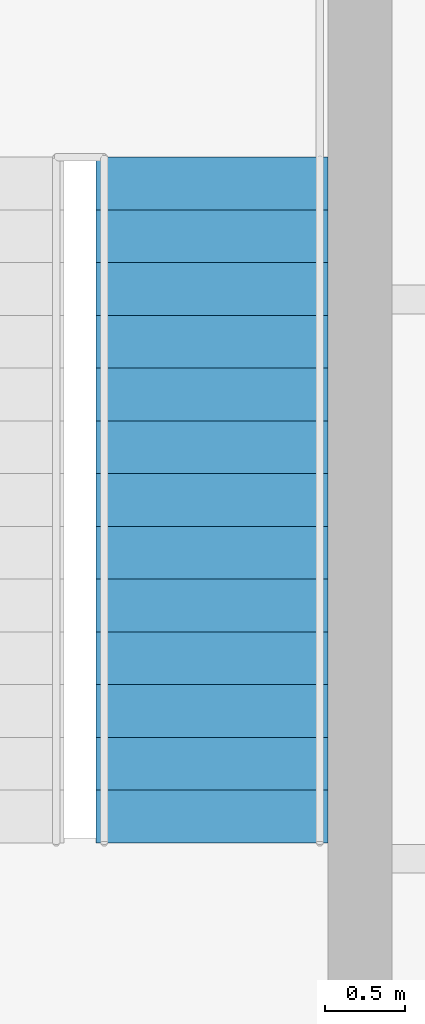
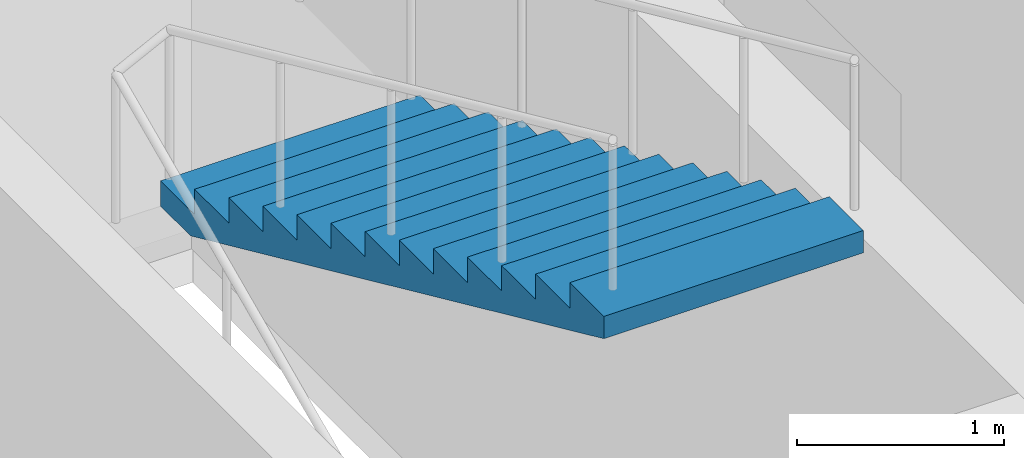
# One storey, part 9 of 10: 1 stair flight, 1 element without a shape of its own.
"""IFC4 building model written with IfcOpenShell, lengths in metres."""

from ifc_helpers import new_model, si_unit, direction, frame, origin, place, context, subcontext, project, spatial, polygons, material, type_object, element, aggregate, save


model = new_model("IFC4")

# Units and contexts
model_context = context("Model", 3, precision=1e-05, world=origin(), true_north=direction((0.0, 1.0)))
body_context = subcontext(model_context, "Body", "Model", "MODEL_VIEW")
ifc_project = project(units=[si_unit("LENGTHUNIT", "METRE"), si_unit("AREAUNIT", "SQUARE_METRE"), si_unit("VOLUMEUNIT", "CUBIC_METRE"), si_unit("PLANEANGLEUNIT", "RADIAN"), si_unit("MASSUNIT", "GRAM", prefix="KILO")], contexts=[model_context])

# Site, building, storey
site_placement = place(None, origin())
site = spatial("IfcSite", under=ifc_project, at=site_placement, CompositionType="ELEMENT")
building_placement = place(site_placement, origin())
building = spatial("IfcBuilding", under=site, at=building_placement, Name="Njiva Tower", CompositionType="ELEMENT")
storey_placement = place(building_placement, frame((0.0, 0.0, 304.2)))
storey = spatial("IfcBuildingStorey", under=building, at=storey_placement, Name="L69", CompositionType="ELEMENT", Elevation=304.2)

# Stair, stair flight
ifc_material = material(Name="Concrete C40/50", Category="concrete")
stair_type = type_object("IfcStairType", Name="ST3 Exit stair 1450", PredefinedType="HALF_TURN_STAIR", material=ifc_material)
stair_placement = place(storey_placement, origin())
stair = element("IfcStair", 1, at=stair_placement, inside=storey, type_object=stair_type, Name="Stair B", PredefinedType="HALF_TURN_STAIR")
stair_flight_type = type_object("IfcStairFlightType", Name="FL3 Stair flight 1450", PredefinedType="STRAIGHT", material=ifc_material)
stair_flight_placement = place(storey_placement, frame((13.375, 15.39, 2.1), z_axis=(0.0, 0.0, 1.0), x_axis=(0.0, -1.0, 0.0)))
stair_flight = element("IfcStairFlight", 2, at=stair_flight_placement, type_object=stair_flight_type, Name="ST-B flight 2", NumberOfRisers=14, NumberOfTreads=13, PredefinedType="STRAIGHT", RiserHeight=0.15, TreadLength=0.33, context=body_context, shape_type="Tessellation", body=[
    polygons([(0.0, 0.725, 0.0), (0.0, 0.3625, 0.0), (0.0, 0.0, 0.0), (0.0, -0.3625, 0.0), (0.0, -0.725, 0.0), (0.0, 0.725, 0.15), (0.0, 0.3625, 0.15), (0.0, 0.0, 0.15), (0.0, -0.3625, 0.15), (0.0, -0.725, 0.15), (0.33, 0.725, 0.15), (0.33, 0.3625, 0.15), (0.33, 0.0, 0.15), (0.33, -0.3625, 0.15), (0.33, -0.725, 0.15), (0.33, 0.725, 0.3), (0.33, 0.3625, 0.3), (0.33, 0.0, 0.3), (0.33, -0.3625, 0.3), (0.33, -0.725, 0.3), (0.66, 0.725, 0.3), (0.66, 0.3625, 0.3), (0.66, 0.0, 0.3), (0.66, -0.3625, 0.3), (0.66, -0.725, 0.3), (0.66, 0.725, 0.45), (0.66, 0.3625, 0.45), (0.66, 0.0, 0.45), (0.66, -0.3625, 0.45), (0.66, -0.725, 0.45), (0.99, 0.725, 0.45), (0.99, 0.3625, 0.45), (0.99, 0.0, 0.45), (0.99, -0.3625, 0.45), (0.99, -0.725, 0.45), (0.99, 0.725, 0.6), (0.99, 0.3625, 0.6), (0.99, 0.0, 0.6), (0.99, -0.3625, 0.6), (0.99, -0.725, 0.6), (1.32, 0.725, 0.6), (1.32, 0.3625, 0.6), (1.32, 0.0, 0.6), (1.32, -0.3625, 0.6), (1.32, -0.725, 0.6), (1.32, 0.725, 0.75), (1.32, 0.3625, 0.75), (1.32, 0.0, 0.75), (1.32, -0.3625, 0.75), (1.32, -0.725, 0.75), (1.65, 0.725, 0.75), (1.65, 0.3625, 0.75), (1.65, 0.0, 0.75), (1.65, -0.3625, 0.75), (1.65, -0.725, 0.75), (1.65, 0.725, 0.9), (1.65, 0.3625, 0.9), (1.65, 0.0, 0.9), (1.65, -0.3625, 0.9), (1.65, -0.725, 0.9), (1.98, 0.725, 0.9), (1.98, 0.3625, 0.9), (1.98, 0.0, 0.9), (1.98, -0.3625, 0.9), (1.98, -0.725, 0.9), (1.98, 0.725, 1.05), (1.98, 0.3625, 1.05), (1.98, 0.0, 1.05), (1.98, -0.3625, 1.05), (1.98, -0.725, 1.05), (2.31, 0.725, 1.05), (2.31, 0.3625, 1.05), (2.31, 0.0, 1.05), (2.31, -0.3625, 1.05), (2.31, -0.725, 1.05), (2.31, 0.725, 1.2), (2.31, 0.3625, 1.2), (2.31, 0.0, 1.2), (2.31, -0.3625, 1.2), (2.31, -0.725, 1.2), (2.64, 0.725, 1.2), (2.64, 0.3625, 1.2), (2.64, 0.0, 1.2), (2.64, -0.3625, 1.2), (2.64, -0.725, 1.2), (2.64, 0.725, 1.35), (2.64, 0.3625, 1.35), (2.64, 0.0, 1.35), (2.64, -0.3625, 1.35), (2.64, -0.725, 1.35), (2.97, 0.725, 1.35), (2.97, 0.3625, 1.35), (2.97, 0.0, 1.35), (2.97, -0.3625, 1.35), (2.97, -0.725, 1.35), (2.97, 0.725, 1.5), (2.97, 0.3625, 1.5), (2.97, 0.0, 1.5), (2.97, -0.3625, 1.5), (2.97, -0.725, 1.5), (3.3, 0.725, 1.5), (3.3, 0.3625, 1.5), (3.3, 0.0, 1.5), (3.3, -0.3625, 1.5), (3.3, -0.725, 1.5), (3.3, 0.725, 1.65), (3.3, 0.3625, 1.65), (3.3, 0.0, 1.65), (3.3, -0.3625, 1.65), (3.3, -0.725, 1.65), (3.63, 0.725, 1.65), (3.63, 0.3625, 1.65), (3.63, 0.0, 1.65), (3.63, -0.3625, 1.65), (3.63, -0.725, 1.65), (3.63, 0.725, 1.8), (3.63, 0.3625, 1.8), (3.63, 0.0, 1.8), (3.63, -0.3625, 1.8), (3.63, -0.725, 1.8), (3.96, 0.725, 1.8), (3.96, 0.3625, 1.8), (3.96, 0.0, 1.8), (3.96, -0.3625, 1.8), (3.96, -0.725, 1.8), (3.96, 0.725, 1.95), (3.96, 0.3625, 1.95), (3.96, 0.0, 1.95), (3.96, -0.3625, 1.95), (3.96, -0.725, 1.95), (4.29, 0.725, 1.95), (4.29, 0.3625, 1.95), (4.29, 0.0, 1.95), (4.29, -0.3625, 1.95), (4.29, -0.725, 1.95), (4.29, 0.725, 1.8182), (4.29, 0.3625, 1.8182), (4.29, 0.0, 1.8182), (4.29, -0.3625, 1.8182), (4.29, -0.725, 1.8182), (0.29, 0.725, 0.0), (0.29, 0.3625, 0.0), (0.29, 0.0, 0.0), (0.29, -0.3625, 0.0), (0.29, -0.725, 0.0)], [[[1, 6, 11, 16, 21, 26, 31, 36, 41, 46, 51, 56, 61, 66, 71, 76, 81, 86, 91, 96, 101, 106, 111, 116, 121, 126, 131, 136, 141]], [[145, 140, 135, 130, 125, 120, 115, 110, 105, 100, 95, 90, 85, 80, 75, 70, 65, 60, 55, 50, 45, 40, 35, 30, 25, 20, 15, 10, 5]], [[6, 1, 2, 7]], [[7, 2, 3, 8]], [[8, 3, 4, 9]], [[9, 4, 5, 10]], [[11, 6, 7, 12]], [[12, 7, 8, 13]], [[13, 8, 9, 14]], [[14, 9, 10, 15]], [[16, 11, 12, 17]], [[17, 12, 13, 18]], [[18, 13, 14, 19]], [[19, 14, 15, 20]], [[21, 16, 17, 22]], [[22, 17, 18, 23]], [[23, 18, 19, 24]], [[24, 19, 20, 25]], [[26, 21, 22, 27]], [[27, 22, 23, 28]], [[28, 23, 24, 29]], [[29, 24, 25, 30]], [[31, 26, 27, 32]], [[32, 27, 28, 33]], [[33, 28, 29, 34]], [[34, 29, 30, 35]], [[36, 31, 32, 37]], [[37, 32, 33, 38]], [[38, 33, 34, 39]], [[39, 34, 35, 40]], [[41, 36, 37, 42]], [[42, 37, 38, 43]], [[43, 38, 39, 44]], [[44, 39, 40, 45]], [[46, 41, 42, 47]], [[47, 42, 43, 48]], [[48, 43, 44, 49]], [[49, 44, 45, 50]], [[51, 46, 47, 52]], [[52, 47, 48, 53]], [[53, 48, 49, 54]], [[54, 49, 50, 55]], [[56, 51, 52, 57]], [[57, 52, 53, 58]], [[58, 53, 54, 59]], [[59, 54, 55, 60]], [[61, 56, 57, 62]], [[62, 57, 58, 63]], [[63, 58, 59, 64]], [[64, 59, 60, 65]], [[66, 61, 62, 67]], [[67, 62, 63, 68]], [[68, 63, 64, 69]], [[69, 64, 65, 70]], [[71, 66, 67, 72]], [[72, 67, 68, 73]], [[73, 68, 69, 74]], [[74, 69, 70, 75]], [[76, 71, 72, 77]], [[77, 72, 73, 78]], [[78, 73, 74, 79]], [[79, 74, 75, 80]], [[81, 76, 77, 82]], [[82, 77, 78, 83]], [[83, 78, 79, 84]], [[84, 79, 80, 85]], [[86, 81, 82, 87]], [[87, 82, 83, 88]], [[88, 83, 84, 89]], [[89, 84, 85, 90]], [[91, 86, 87, 92]], [[92, 87, 88, 93]], [[93, 88, 89, 94]], [[94, 89, 90, 95]], [[96, 91, 92, 97]], [[97, 92, 93, 98]], [[98, 93, 94, 99]], [[99, 94, 95, 100]], [[101, 96, 97, 102]], [[102, 97, 98, 103]], [[103, 98, 99, 104]], [[104, 99, 100, 105]], [[106, 101, 102, 107]], [[107, 102, 103, 108]], [[108, 103, 104, 109]], [[109, 104, 105, 110]], [[111, 106, 107, 112]], [[112, 107, 108, 113]], [[113, 108, 109, 114]], [[114, 109, 110, 115]], [[116, 111, 112, 117]], [[117, 112, 113, 118]], [[118, 113, 114, 119]], [[119, 114, 115, 120]], [[121, 116, 117, 122]], [[122, 117, 118, 123]], [[123, 118, 119, 124]], [[124, 119, 120, 125]], [[126, 121, 122, 127]], [[127, 122, 123, 128]], [[128, 123, 124, 129]], [[129, 124, 125, 130]], [[131, 126, 127, 132]], [[132, 127, 128, 133]], [[133, 128, 129, 134]], [[134, 129, 130, 135]], [[136, 131, 132, 137]], [[137, 132, 133, 138]], [[138, 133, 134, 139]], [[139, 134, 135, 140]], [[141, 136, 137, 142]], [[142, 137, 138, 143]], [[143, 138, 139, 144]], [[144, 139, 140, 145]], [[1, 141, 142, 2]], [[2, 142, 143, 3]], [[3, 143, 144, 4]], [[4, 144, 145, 5]]], closed=True),
])
aggregate(stair, [stair_flight])

save(model, "model.ifc")
